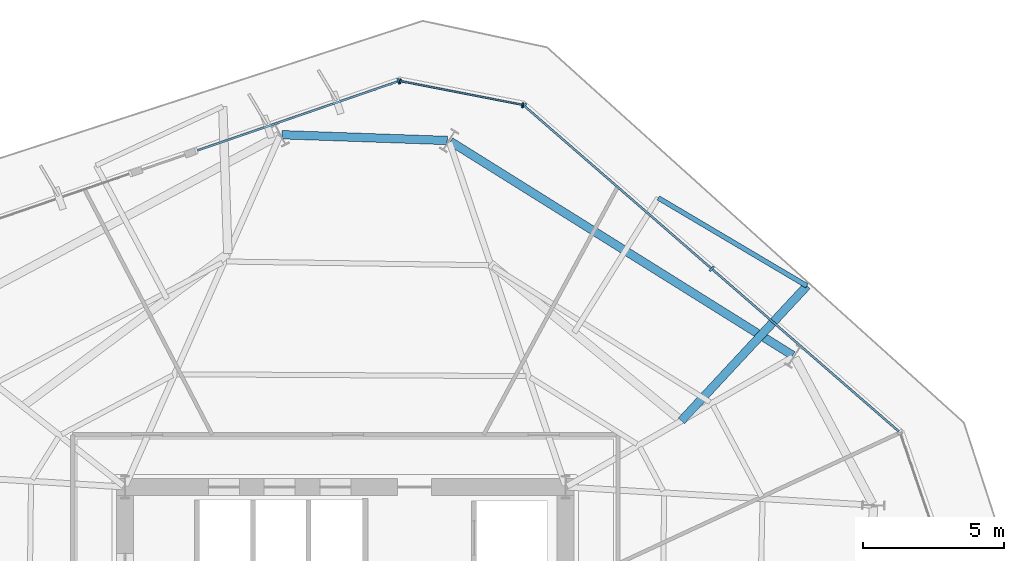
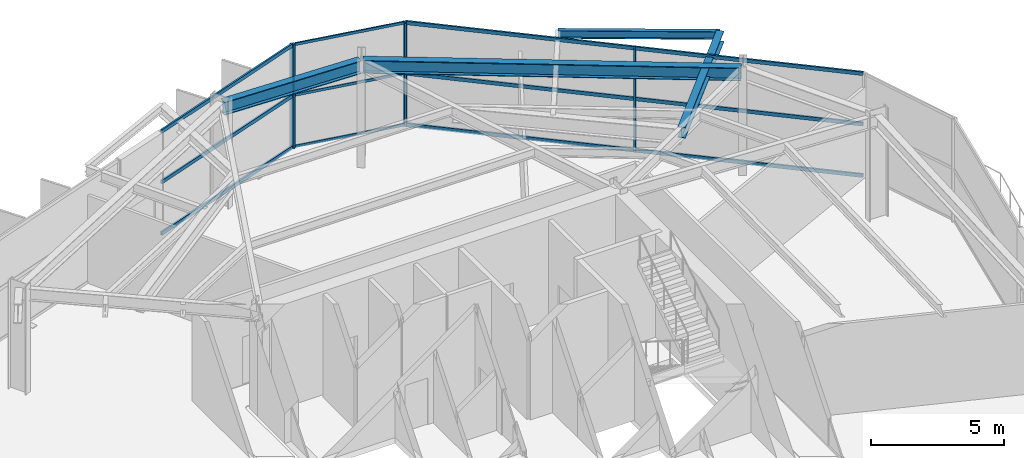
# One storey, part 7 of 16: 17 members, 4 beams, 3 elements without a shape of their own.
"""IFC4 building model written with IfcOpenShell, lengths in metres."""

from ifc_helpers import new_model, si_unit, direction, frame, origin, origin_2d, place, context, subcontext, project, spatial, rectangle, i_section, extrude, material, layer, layer_set, material_profile, profile_set, type_object, element, aggregate, save


model = new_model("IFC4")

# Units and contexts
model_context = context("Model", 3, precision=1e-05, world=origin(), true_north=direction((0.0, 1.0)))
body_context = subcontext(model_context, "Body", "Model", "MODEL_VIEW")
ifc_project = project(units=[si_unit("LENGTHUNIT", "METRE"), si_unit("AREAUNIT", "SQUARE_METRE"), si_unit("VOLUMEUNIT", "CUBIC_METRE"), si_unit("PLANEANGLEUNIT", "RADIAN"), si_unit("MASSUNIT", "GRAM", prefix="KILO")], contexts=[model_context])

# Site, building, storey
site_placement = place(None, origin())
site = spatial("IfcSite", under=ifc_project, at=site_placement, CompositionType="ELEMENT")
building_placement = place(site_placement, origin())
building = spatial("IfcBuilding", under=site, at=building_placement, Name="Kranzbogen Civic Tower", CompositionType="ELEMENT")
storey_placement = place(building_placement, frame((0.0, 0.0, 97.39990234375)))
storey = spatial("IfcBuildingStorey", under=building, at=storey_placement, Name="L23", CompositionType="ELEMENT", Elevation=97.39990234375)

# Curtain wall, members
ifc_material_1 = material(Name="Pale Anodised Aluminium", Category="aluminium")
ifc_layer_1 = layer(ifc_material_1, 0.219970703125, Name="Pale Anodised Aluminium")
ifc_layer_set_1 = layer_set([ifc_layer_1], Name="Pale Anodised Aluminium")
curtain_wall_type_1 = type_object("IfcCurtainWallType", Name="Chamfer Facet Stick Curtain Wall System CW-06", PredefinedType="USERDEFINED", material=ifc_layer_set_1)
curtain_wall_1_placement = place(storey_placement, origin())
curtain_wall_1 = element("IfcCurtainWall", 1, at=curtain_wall_1_placement, inside=storey, type_object=curtain_wall_type_1, Name="L23 curtain wall CW-L23-C1", ObjectType="STICK CURTAIN WALL", PredefinedType="USERDEFINED")
ifc_material_profile_1 = material_profile(ifc_material_1, rectangle(XDim=0.06005859375, YDim=0.159912109375, at=origin_2d()), Name="ALU-M 60x160")
ifc_profile_set_1 = profile_set([ifc_material_profile_1], Name="Pale Anodised Aluminium")
member_type_1 = type_object("IfcMemberType", Name="Curtain Wall Mullion ALU-M 60x160", PredefinedType="MULLION", material=ifc_profile_set_1)
member_1_placement = place(storey_placement, frame((31.274658203125, 45.7236328125, 0.0), z_axis=(0.0, 0.0, 1.0), x_axis=(-0.981582777116, 0.19103730439, 0.0)))
member_1 = element("IfcMember", 2, at=member_1_placement, type_object=member_type_1, Name="CW-06 mullion 1", PredefinedType="MULLION", context=body_context, shape_type="SweptSolid", body=[
    extrude(rectangle(XDim=0.06005859375, YDim=0.159912109375, at=origin_2d()), origin(), (0.0, 0.0, 1.0), 4.760009765625),
])
member_2_placement = place(storey_placement, frame((26.945556640625, 46.566162109375, 0.0), z_axis=(0.0, 0.0, 1.0), x_axis=(-0.981582777116, 0.19103730439, 0.0)))
member_2 = element("IfcMember", 3, at=member_2_placement, type_object=member_type_1, Name="CW-06 mullion 2", PredefinedType="MULLION", context=body_context, shape_type="SweptSolid", body=[
    extrude(rectangle(XDim=0.06005859375, YDim=0.159912109375, at=origin_2d()), origin(), (0.0, 0.0, 1.0), 4.760009765625),
])

ifc_layer_2 = layer(ifc_material_1, 0.219970703125, Name="Pale Anodised Aluminium")
ifc_layer_set_2 = layer_set([ifc_layer_2], Name="Pale Anodised Aluminium")
curtain_wall_type_2 = type_object("IfcCurtainWallType", Name="Zone 2 Stick Curtain Wall System CW-03", PredefinedType="USERDEFINED", material=ifc_layer_set_2)
curtain_wall_2_placement = place(storey_placement, origin())
curtain_wall_2 = element("IfcCurtainWall", 4, at=curtain_wall_2_placement, inside=storey, type_object=curtain_wall_type_2, Name="L23 curtain wall CW-L23-F1", ObjectType="STICK CURTAIN WALL", PredefinedType="USERDEFINED")
ifc_material_profile_2 = material_profile(ifc_material_1, rectangle(XDim=0.074951171875, YDim=0.219970703125, at=origin_2d()), Name="ALU-M 75x220")
ifc_profile_set_2 = profile_set([ifc_material_profile_2], Name="Pale Anodised Aluminium")
member_type_2 = type_object("IfcMemberType", Name="Curtain Wall Mullion ALU-M 75x220", PredefinedType="MULLION", material=ifc_profile_set_2)
member_3_placement = place(storey_placement, frame((37.971435546875, 39.922607421875, 0.0), z_axis=(0.0, 0.0, 1.0), x_axis=(-0.754735883979, 0.656028768755, 0.0)))
member_3 = element("IfcMember", 5, at=member_3_placement, type_object=member_type_2, Name="CW-03 mullion 2", PredefinedType="MULLION", context=body_context, shape_type="SweptSolid", body=[
    extrude(rectangle(XDim=0.074951171875, YDim=0.219970703125, at=origin_2d()), origin(), (0.0, 0.0, 1.0), 4.760009765625),
])
member_4_placement = place(storey_placement, frame((31.32666015625, 45.6982421875, 0.0), z_axis=(0.0, 0.0, 1.0), x_axis=(-0.754735883979, 0.656028768755, 0.0)))
member_4 = element("IfcMember", 6, at=member_4_placement, type_object=member_type_2, Name="CW-03 mullion 3", PredefinedType="MULLION", context=body_context, shape_type="SweptSolid", body=[
    extrude(rectangle(XDim=0.074951171875, YDim=0.219970703125, at=origin_2d()), origin(), (0.0, 0.0, 1.0), 4.760009765625),
])

# Curtain wall, member
curtain_wall_3_placement = place(storey_placement, origin())
curtain_wall_3 = element("IfcCurtainWall", 7, at=curtain_wall_3_placement, inside=storey, type_object=curtain_wall_type_2, Name="L23 curtain wall CW-L23-F2-S1", ObjectType="STICK CURTAIN WALL", PredefinedType="USERDEFINED")
member_5_placement = place(storey_placement, frame((26.8876953125, 46.562255859375, 0.0), z_axis=(0.0, 0.0, 1.0), x_axis=(-0.945506521479, -0.325603160059, 0.0)))
member_5 = element("IfcMember", 8, at=member_5_placement, type_object=member_type_2, Name="CW-03 mullion 1", PredefinedType="MULLION", context=body_context, shape_type="SweptSolid", body=[
    extrude(rectangle(XDim=0.074951171875, YDim=0.219970703125, at=origin_2d()), origin(), (0.0, 0.0, 1.0), 4.760009765625),
])

# Member
ifc_material_profile_3 = material_profile(ifc_material_1, rectangle(XDim=0.06005859375, YDim=0.1201171875, at=origin_2d()), Name="ALU-T 60x120")
ifc_profile_set_3 = profile_set([ifc_material_profile_3], Name="Pale Anodised Aluminium")
member_type_3 = type_object("IfcMemberType", Name="Curtain Wall Transom ALU-T 60x120", PredefinedType="USERDEFINED", material=ifc_profile_set_3)
member_6_placement = place(storey_placement, frame((31.2451171875, 45.7294921875, 0.030029296875), z_axis=(-0.981584124899, 0.191030379118, 0.0), x_axis=(-0.191030379118, -0.981584124899, 0.0)))
member_6 = element("IfcMember", 9, at=member_6_placement, type_object=member_type_3, Name="CW-06 transom 1.1", ObjectType="TRANSOM", PredefinedType="USERDEFINED", context=body_context, shape_type="SweptSolid", body=[
    extrude(rectangle(XDim=0.06005859375, YDim=0.1201171875, at=origin_2d()), origin(), (0.0, 0.0, 1.0), 4.350341796875),
])

member_7_placement = place(storey_placement, frame((31.2451171875, 45.7294921875, 2.400146484375), z_axis=(-0.981584124899, 0.191030379118, 0.0), x_axis=(-0.191030379118, -0.981584124899, 0.0)))
member_7 = element("IfcMember", 10, at=member_7_placement, type_object=member_type_3, Name="CW-06 transom 1.2", ObjectType="TRANSOM", PredefinedType="USERDEFINED", context=body_context, shape_type="SweptSolid", body=[
    extrude(rectangle(XDim=0.06005859375, YDim=0.1201171875, at=origin_2d()), origin(), (0.0, 0.0, 1.0), 4.350341796875),
])

member_8_placement = place(storey_placement, frame((31.2451171875, 45.7294921875, 4.72998046875), z_axis=(-0.981584124899, 0.191030379118, 0.0), x_axis=(-0.191030379118, -0.981584124899, 0.0)))
member_8 = element("IfcMember", 11, at=member_8_placement, type_object=member_type_3, Name="CW-06 transom 1.3", ObjectType="TRANSOM", PredefinedType="USERDEFINED", context=body_context, shape_type="SweptSolid", body=[
    extrude(rectangle(XDim=0.06005859375, YDim=0.1201171875, at=origin_2d()), origin(), (0.0, 0.0, 1.0), 4.350341796875),
])

aggregate(curtain_wall_1, [member_1, member_2, member_6, member_7, member_8])

ifc_material_profile_4 = material_profile(ifc_material_1, rectangle(XDim=0.074951171875, YDim=0.1650390625, at=origin_2d()), Name="ALU-T 75x165")
ifc_profile_set_4 = profile_set([ifc_material_profile_4], Name="Pale Anodised Aluminium")
member_type_4 = type_object("IfcMemberType", Name="Curtain Wall Transom ALU-T 75x165", PredefinedType="USERDEFINED", material=ifc_profile_set_4)
member_9_placement = place(storey_placement, frame((44.59375, 34.166259765625, 0.030029296875), z_axis=(-0.754731132923, 0.656034234622, 0.0), x_axis=(-0.656034234622, -0.754731132923, 0.0)))
member_9 = element("IfcMember", 12, at=member_9_placement, type_object=member_type_4, Name="CW-03 transom 1.1", ObjectType="TRANSOM", PredefinedType="USERDEFINED", context=body_context, shape_type="SweptSolid", body=[
    extrude(rectangle(XDim=0.074951171875, YDim=0.1650390625, at=origin_2d()), origin(), (0.0, 0.0, 1.0), 8.744384765625),
])

member_10_placement = place(storey_placement, frame((44.59375, 34.166259765625, 2.400146484375), z_axis=(-0.754731132923, 0.656034234622, 0.0), x_axis=(-0.656034234622, -0.754731132923, 0.0)))
member_10 = element("IfcMember", 13, at=member_10_placement, type_object=member_type_4, Name="CW-03 transom 1.2", ObjectType="TRANSOM", PredefinedType="USERDEFINED", context=body_context, shape_type="SweptSolid", body=[
    extrude(rectangle(XDim=0.074951171875, YDim=0.1650390625, at=origin_2d()), origin(), (0.0, 0.0, 1.0), 8.744384765625),
])

member_11_placement = place(storey_placement, frame((44.59375, 34.166259765625, 4.72998046875), z_axis=(-0.754731132923, 0.656034234622, 0.0), x_axis=(-0.656034234622, -0.754731132923, 0.0)))
member_11 = element("IfcMember", 14, at=member_11_placement, type_object=member_type_4, Name="CW-03 transom 1.3", ObjectType="TRANSOM", PredefinedType="USERDEFINED", context=body_context, shape_type="SweptSolid", body=[
    extrude(rectangle(XDim=0.074951171875, YDim=0.1650390625, at=origin_2d()), origin(), (0.0, 0.0, 1.0), 8.744384765625),
])

member_12_placement = place(storey_placement, frame((37.948974609375, 39.942138671875, 0.030029296875), z_axis=(-0.754731132923, 0.656034234622, 0.0), x_axis=(-0.656034234622, -0.754731132923, 0.0)))
member_12 = element("IfcMember", 15, at=member_12_placement, type_object=member_type_4, Name="CW-03 transom 2.1", ObjectType="TRANSOM", PredefinedType="USERDEFINED", context=body_context, shape_type="SweptSolid", body=[
    extrude(rectangle(XDim=0.074951171875, YDim=0.1650390625, at=origin_2d()), origin(), (0.0, 0.0, 1.0), 8.744384765625),
])

member_13_placement = place(storey_placement, frame((37.948974609375, 39.942138671875, 2.400146484375), z_axis=(-0.754731132923, 0.656034234622, 0.0), x_axis=(-0.656034234622, -0.754731132923, 0.0)))
member_13 = element("IfcMember", 16, at=member_13_placement, type_object=member_type_4, Name="CW-03 transom 2.2", ObjectType="TRANSOM", PredefinedType="USERDEFINED", context=body_context, shape_type="SweptSolid", body=[
    extrude(rectangle(XDim=0.074951171875, YDim=0.1650390625, at=origin_2d()), origin(), (0.0, 0.0, 1.0), 8.744384765625),
])

member_14_placement = place(storey_placement, frame((37.948974609375, 39.942138671875, 4.72998046875), z_axis=(-0.754731132923, 0.656034234622, 0.0), x_axis=(-0.656034234622, -0.754731132923, 0.0)))
member_14 = element("IfcMember", 17, at=member_14_placement, type_object=member_type_4, Name="CW-03 transom 2.3", ObjectType="TRANSOM", PredefinedType="USERDEFINED", context=body_context, shape_type="SweptSolid", body=[
    extrude(rectangle(XDim=0.074951171875, YDim=0.1650390625, at=origin_2d()), origin(), (0.0, 0.0, 1.0), 8.744384765625),
])

aggregate(curtain_wall_2, [member_3, member_4, member_9, member_10, member_11, member_12, member_13, member_14])

member_15_placement = place(storey_placement, frame((26.859375, 46.552490234375, 0.030029296875), z_axis=(-0.945505126385, -0.325607211192, 0.0), x_axis=(0.325607211192, -0.945505126385, 0.0)))
member_15 = element("IfcMember", 18, at=member_15_placement, type_object=member_type_4, Name="CW-03 transom 1.1", ObjectType="TRANSOM", PredefinedType="USERDEFINED", context=body_context, shape_type="SweptSolid", body=[
    extrude(rectangle(XDim=0.074951171875, YDim=0.1650390625, at=origin_2d()), origin(), (0.0, 0.0, 1.0), 7.51513671875),
])

member_16_placement = place(storey_placement, frame((26.859375, 46.552490234375, 2.400146484375), z_axis=(-0.945505126385, -0.325607211192, 0.0), x_axis=(0.325607211192, -0.945505126385, 0.0)))
member_16 = element("IfcMember", 19, at=member_16_placement, type_object=member_type_4, Name="CW-03 transom 1.2", ObjectType="TRANSOM", PredefinedType="USERDEFINED", context=body_context, shape_type="SweptSolid", body=[
    extrude(rectangle(XDim=0.074951171875, YDim=0.1650390625, at=origin_2d()), origin(), (0.0, 0.0, 1.0), 7.51513671875),
])

member_17_placement = place(storey_placement, frame((26.859375, 46.552490234375, 4.72998046875), z_axis=(-0.945505126385, -0.325607211192, 0.0), x_axis=(0.325607211192, -0.945505126385, 0.0)))
member_17 = element("IfcMember", 20, at=member_17_placement, type_object=member_type_4, Name="CW-03 transom 1.3", ObjectType="TRANSOM", PredefinedType="USERDEFINED", context=body_context, shape_type="SweptSolid", body=[
    extrude(rectangle(XDim=0.074951171875, YDim=0.1650390625, at=origin_2d()), origin(), (0.0, 0.0, 1.0), 7.51513671875),
])

aggregate(curtain_wall_3, [member_5, member_15, member_16, member_17])

# Beams
ifc_material_2 = material(Name="Steel S355", Category="steel")
ifc_material_profile_5 = material_profile(ifc_material_2, i_section(OverallWidth=0.300048828125, OverallDepth=0.5, WebThickness=0.014404296875, FlangeThickness=0.028076171875, at=origin_2d()), Name="HEB 500")
ifc_profile_set_5 = profile_set([ifc_material_profile_5], Name="Steel S355")
beam_type_1 = type_object("IfcBeamType", Name="Perimeter Tube Spandrel Beam HEB 500", PredefinedType="SPANDREL", material=ifc_profile_set_5)
beam_1_placement = place(storey_placement, frame((36.89404296875, 34.5439453125, 4.47021484375), z_axis=(0.681175806531, 0.732119881302, 0.0), x_axis=(-0.732119881302, 0.681175806531, 0.0)))
element("IfcBeam", 21, at=beam_1_placement, inside=storey, type_object=beam_type_1, Name="L24 back-spanned terrace beam L24-ST-1", PredefinedType="SPANDREL", context=body_context, shape_type="SweptSolid", body=[
    extrude(i_section(OverallWidth=0.300048828125, OverallDepth=0.5, WebThickness=0.014404296875, FlangeThickness=0.028076171875, at=origin_2d()), origin(), (0.0, 0.0, 1.0), 6.5224609375),
])
ifc_material_profile_6 = material_profile(ifc_material_2, i_section(OverallWidth=0.300048828125, OverallDepth=0.60009765625, WebThickness=0.015380859375, FlangeThickness=0.030029296875, at=origin_2d()), Name="HEB 600")
ifc_profile_set_6 = profile_set([ifc_material_profile_6], Name="Steel S355")
beam_type_2 = type_object("IfcBeamType", Name="Perimeter Tube Spandrel Beam HEB 600", PredefinedType="SPANDREL", material=ifc_profile_set_6)
beam_2_placement = place(storey_placement, frame((40.8349609375, 36.861083984375, 4.460205078125), z_axis=(-0.848051101349, 0.52991445489, 0.0), x_axis=(-0.52991445489, -0.848051101349, 0.0)))
element("IfcBeam", 22, at=beam_2_placement, inside=storey, type_object=beam_type_2, Name="L23 perimeter spandrel beam 08", PredefinedType="SPANDREL", context=body_context, shape_type="SweptSolid", body=[
    extrude(i_section(OverallWidth=0.300048828125, OverallDepth=0.60009765625, WebThickness=0.015380859375, FlangeThickness=0.030029296875, at=origin_2d()), origin(), (0.0, 0.0, 1.0), 14.286865234375),
])
beam_3_placement = place(storey_placement, frame((28.60791015625, 44.466064453125, 4.460205078125), z_axis=(-0.999393148233, 0.03483296234, 0.0), x_axis=(-0.03483296234, -0.999393148233, 0.0)))
element("IfcBeam", 23, at=beam_3_placement, inside=storey, type_object=beam_type_2, Name="L23 perimeter spandrel beam 09", PredefinedType="SPANDREL", context=body_context, shape_type="SweptSolid", body=[
    extrude(i_section(OverallWidth=0.300048828125, OverallDepth=0.60009765625, WebThickness=0.015380859375, FlangeThickness=0.030029296875, at=origin_2d()), origin(), (0.0, 0.0, 1.0), 5.8525390625),
])
ifc_material_profile_7 = material_profile(ifc_material_2, i_section(OverallWidth=0.169921875, OverallDepth=0.360107421875, WebThickness=0.008056640625, FlangeThickness=0.0126953125, at=origin_2d()), Name="IPE 360")
ifc_profile_set_7 = profile_set([ifc_material_profile_7], Name="Steel S355")
beam_type_3 = type_object("IfcBeamType", Name="Secondary Composite Floor Joist IPE 360", PredefinedType="JOIST", material=ifc_profile_set_7)
beam_4_placement = place(storey_placement, frame((41.3369140625, 39.319091796875, 4.5400390625), z_axis=(-0.86050879431, 0.509435584657, 0.0), x_axis=(-0.509435584657, -0.86050879431, 0.0)))
element("IfcBeam", 24, at=beam_4_placement, inside=storey, type_object=beam_type_3, Name="L24 terrace outer edge trimmer L24-ST", PredefinedType="JOIST", context=body_context, shape_type="SweptSolid", body=[
    extrude(i_section(OverallWidth=0.169921875, OverallDepth=0.360107421875, WebThickness=0.008056640625, FlangeThickness=0.0126953125, at=origin_2d()), origin(), (0.0, 0.0, 1.0), 6.11279296875),
])

save(model, "model.ifc")
